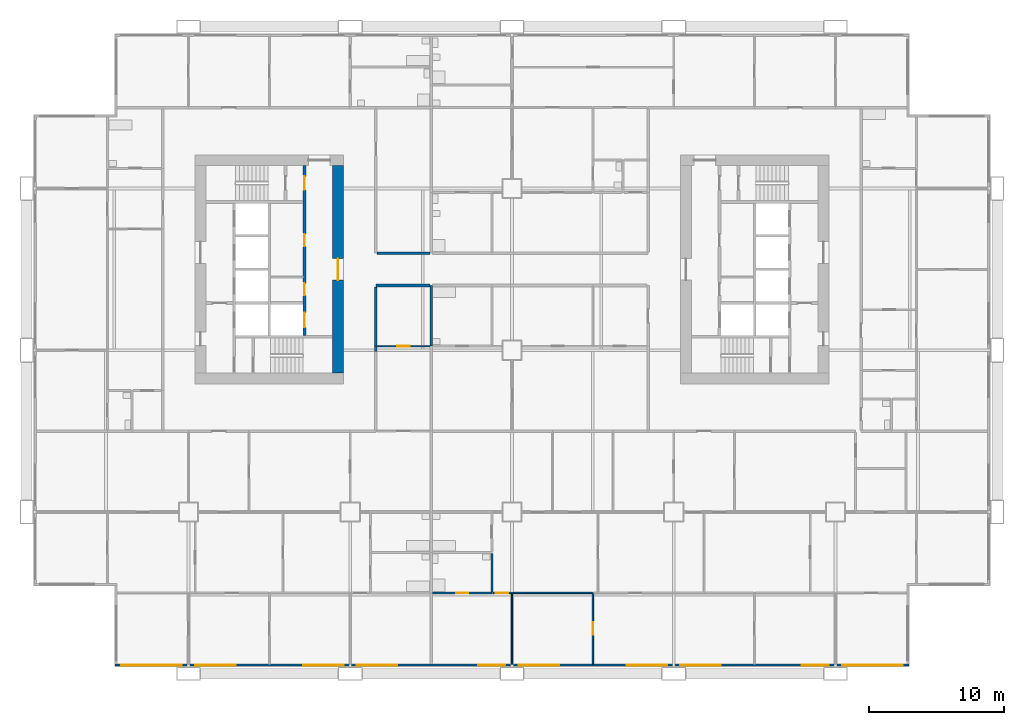
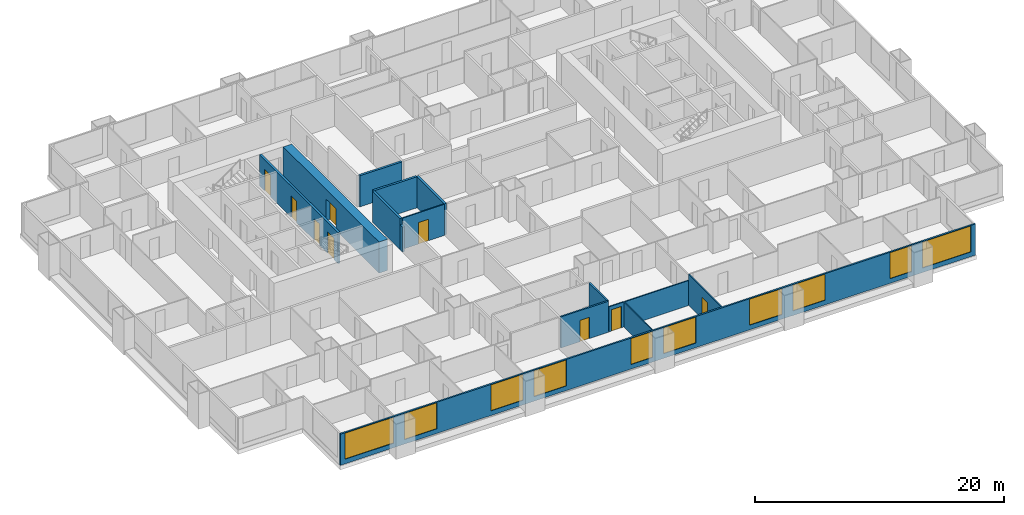
# One storey, part 4 of 13: 15 walls, 10 windows, 9 doors, 19 openings.
"""IFC4 building model written with IfcOpenShell, lengths in metres."""

from ifc_helpers import new_model, si_unit, direction, frame, frame_2d, origin, place, context, subcontext, project, spatial, rectangle, extrude, material, layer, layer_set, type_object, element, fill, save


model = new_model("IFC4")

# Units and contexts
model_context = context("Model", 3, precision=1e-05, world=origin(), true_north=direction((0.0, 1.0)))
body_context = subcontext(model_context, "Body", "Model", "MODEL_VIEW")
ifc_project = project(units=[si_unit("LENGTHUNIT", "METRE"), si_unit("AREAUNIT", "SQUARE_METRE"), si_unit("VOLUMEUNIT", "CUBIC_METRE"), si_unit("PLANEANGLEUNIT", "RADIAN"), si_unit("MASSUNIT", "GRAM", prefix="KILO")], contexts=[model_context])

# Site, building, storey
site_placement = place(None, origin())
site = spatial("IfcSite", under=ifc_project, at=site_placement, CompositionType="ELEMENT")
building_placement = place(site_placement, origin())
building = spatial("IfcBuilding", under=site, at=building_placement, Name="Kitamizu Gate Tower and Museum", CompositionType="ELEMENT")
storey_placement = place(building_placement, frame((0.0, 0.0, 40.35009765625)))
storey = spatial("IfcBuildingStorey", under=building, at=storey_placement, Name="L08", CompositionType="ELEMENT", Elevation=40.35009765625)

# Wall, opening, door
ifc_material_1 = material(Name="Concrete Fc60", Category="concrete")
ifc_layer_1 = layer(ifc_material_1, 0.800048828125)
ifc_layer_set_1 = layer_set([ifc_layer_1], Name="Concrete Fc60")
wall_type_1 = type_object("IfcWallType", Name="Core wall 800", PredefinedType="SHEAR", material=ifc_layer_set_1)
wall_1_placement = place(storey_placement, frame((23.10009765625, 22.300048828125, 0.0), z_axis=(0.0, 0.0, 1.0), x_axis=(0.0, 1.0, 0.0)))
wall_1 = element("IfcWall", 1, at=wall_1_placement, inside=storey, type_object=wall_type_1, Name="Core wall WARC", PredefinedType="SHEAR", context=body_context, shape_type="SweptSolid", body=[
    extrude(rectangle(XDim=15.39990234375, YDim=0.800048828125, at=frame_2d((7.699951171875, 0.0))), origin(), (0.0, 0.0, 1.0), 3.0498046875),
])
opening_1_placement = place(wall_1_placement, frame((6.89990234375, 0.0, 0.0)))
opening_1 = element("IfcOpeningElement", 2, at=opening_1_placement, cuts=wall_1, Name="Opening L08-087", PredefinedType="OPENING", context=body_context, shape_type="SweptSolid", body=[
    extrude(rectangle(XDim=1.60009765625, YDim=2.10009765625, at=frame_2d((0.800048828125, 1.050048828125))), frame((0.0, 0.41015625, 0.0), z_axis=(0.0, -1.0, 0.0), x_axis=(1.0, 0.0, 0.0)), (0.0, 0.0, 1.0), 0.820068359375),
])
ifc_material_2 = material(Name="Timber door set", Category="wood")
door_type_1 = type_object("IfcDoorType", Name="Entrance door 1600", OperationType="DOUBLE_DOOR_SINGLE_SWING", PredefinedType="DOOR", material=ifc_material_2)
door_1_placement = place(opening_1_placement, origin())
door_1 = element("IfcDoor", 3, at=door_1_placement, inside=storey, type_object=door_type_1, Name="Lobby door L08-087", OperationType="DOUBLE_DOOR_SINGLE_SWING", OverallHeight=2.10009765625, OverallWidth=1.60009765625, PredefinedType="DOOR", context=body_context, shape_type="SweptSolid", body=[
    extrude(rectangle(XDim=1.60009765625, YDim=2.10009765625, at=frame_2d((0.800048828125, 1.050048828125))), frame((0.0, 0.02490234375, 0.0), z_axis=(0.0, -1.0, 0.0), x_axis=(1.0, 0.0, 0.0)), (0.0, 0.0, 1.0), 0.050048828125),
])
fill(opening_1, door_1)

ifc_material_3 = material(Name="Gypsum board on galvanised stud")
ifc_layer_2 = layer(ifc_material_3, 0.10009765625)
ifc_layer_set_2 = layer_set([ifc_layer_2], Name="Gypsum board on galvanised stud")
wall_type_2 = type_object("IfcWallType", Name="Partition 100 NOT RATED", PredefinedType="PARTITIONING", material=ifc_layer_set_2)
wall_2_placement = place(storey_placement, frame((29.89990234375, 24.300048828125, 0.0), z_axis=(0.0, 0.0, 1.0), x_axis=(-1.0, 0.0, 0.0)))
wall_2 = element("IfcWall", 4, at=wall_2_placement, inside=storey, type_object=wall_type_2, Name="Partition L08-039", PredefinedType="PARTITIONING", context=body_context, shape_type="SweptSolid", body=[
    extrude(rectangle(XDim=3.89990234375, YDim=0.10009765625, at=frame_2d((1.949951171875, 0.0))), origin(), (0.0, 0.0, 1.0), 3.0498046875),
])
opening_2_placement = place(wall_2_placement, frame((1.5, 0.0, 0.0)))
opening_2 = element("IfcOpeningElement", 5, at=opening_2_placement, cuts=wall_2, Name="Opening L08-016", PredefinedType="OPENING", context=body_context, shape_type="SweptSolid", body=[
    extrude(rectangle(XDim=0.89990234375, YDim=2.10009765625, at=frame_2d((0.449951171875, 1.050048828125))), frame((0.0, 0.06005859375, 0.0), z_axis=(0.0, -1.0, 0.0), x_axis=(1.0, 0.0, 0.0)), (0.0, 0.0, 1.0), 0.1201171875),
])
ifc_material_4 = material(Name="Timber door set", Category="wood")
door_type_2 = type_object("IfcDoorType", Name="Room door 900", OperationType="NOTDEFINED", PredefinedType="DOOR", material=ifc_material_4)
door_2_placement = place(opening_2_placement, frame((0.89990234375, 0.0, 0.0), x_axis=(-1.0, 0.0, 0.0)))
door_2 = element("IfcDoor", 6, at=door_2_placement, inside=storey, type_object=door_type_2, Name="Door L08-016", OperationType="SINGLE_SWING_RIGHT", OverallHeight=2.10009765625, OverallWidth=0.89990234375, PredefinedType="DOOR", context=body_context, shape_type="SweptSolid", body=[
    extrude(rectangle(XDim=0.89990234375, YDim=2.10009765625, at=frame_2d((0.449951171875, 1.050048828125))), frame((0.0, 0.02490234375, 0.0), z_axis=(0.0, -1.0, 0.0), x_axis=(1.0, 0.0, 0.0)), (0.0, 0.0, 1.0), 0.050048828125),
])
fill(opening_2, door_2)

# Wall
wall_3_placement = place(storey_placement, frame((36.0, 0.719970703125, 0.0), z_axis=(0.0, 0.0, 1.0), x_axis=(0.0, 1.0, 0.0)))
element("IfcWall", 7, at=wall_3_placement, inside=storey, type_object=wall_type_2, Name="Partition L08-046", PredefinedType="PARTITIONING", context=body_context, shape_type="SweptSolid", body=[
    extrude(rectangle(XDim=5.280029296875, YDim=0.10009765625, at=frame_2d((2.64013671875, 0.0))), origin(), (0.0, 0.0, 1.0), 2.449951171875),
])

# Wall, opening, door
wall_4_placement = place(storey_placement, frame((35.949951171875, 6.0, 0.0), z_axis=(0.0, 0.0, 1.0), x_axis=(-1.0, 0.0, 0.0)))
wall_4 = element("IfcWall", 8, at=wall_4_placement, inside=storey, type_object=wall_type_2, Name="Partition L08-048", PredefinedType="PARTITIONING", context=body_context, shape_type="SweptSolid", body=[
    extrude(rectangle(XDim=1.375, YDim=0.10009765625, at=frame_2d((0.6875, 0.0))), origin(), (0.0, 0.0, 1.0), 2.449951171875),
])
opening_3_placement = place(wall_4_placement, frame((0.237548828125, 0.0, 0.0)))
opening_3 = element("IfcOpeningElement", 9, at=opening_3_placement, cuts=wall_4, Name="Opening L08-024", PredefinedType="OPENING", context=body_context, shape_type="SweptSolid", body=[
    extrude(rectangle(XDim=0.89990234375, YDim=2.10009765625, at=frame_2d((0.449951171875, 1.050048828125))), frame((0.0, 0.06005859375, 0.0), z_axis=(0.0, -1.0, 0.0), x_axis=(1.0, 0.0, 0.0)), (0.0, 0.0, 1.0), 0.1201171875),
])
door_3_placement = place(opening_3_placement, origin())
door_3 = element("IfcDoor", 10, at=door_3_placement, inside=storey, type_object=door_type_2, Name="Door L08-024", OperationType="SINGLE_SWING_RIGHT", OverallHeight=2.10009765625, OverallWidth=0.89990234375, PredefinedType="DOOR", context=body_context, shape_type="SweptSolid", body=[
    extrude(rectangle(XDim=0.89990234375, YDim=2.10009765625, at=frame_2d((0.449951171875, 1.050048828125))), frame((0.0, 0.02490234375, 0.0), z_axis=(0.0, -1.0, 0.0), x_axis=(1.0, 0.0, 0.0)), (0.0, 0.0, 1.0), 0.050048828125),
])
fill(opening_3, door_3)

wall_5_placement = place(storey_placement, frame((42.0, 0.719970703125, 0.0), z_axis=(0.0, 0.0, 1.0), x_axis=(0.0, 1.0, 0.0)))
wall_5 = element("IfcWall", 11, at=wall_5_placement, inside=storey, type_object=wall_type_2, Name="Partition L08-049", PredefinedType="PARTITIONING", context=body_context, shape_type="SweptSolid", body=[
    extrude(rectangle(XDim=5.280029296875, YDim=0.10009765625, at=frame_2d((2.64013671875, 0.0))), origin(), (0.0, 0.0, 1.0), 3.0498046875),
])
opening_4_placement = place(wall_5_placement, frame((2.18994140625, 0.0, 0.0)))
opening_4 = element("IfcOpeningElement", 12, at=opening_4_placement, cuts=wall_5, Name="Opening L08-023", PredefinedType="OPENING", context=body_context, shape_type="SweptSolid", body=[
    extrude(rectangle(XDim=0.89990234375, YDim=2.10009765625, at=frame_2d((0.449951171875, 1.050048828125))), frame((0.0, 0.06005859375, 0.0), z_axis=(0.0, -1.0, 0.0), x_axis=(1.0, 0.0, 0.0)), (0.0, 0.0, 1.0), 0.1201171875),
])
door_4_placement = place(opening_4_placement, origin())
door_4 = element("IfcDoor", 13, at=door_4_placement, inside=storey, type_object=door_type_2, Name="Door L08-023", OperationType="SINGLE_SWING_LEFT", OverallHeight=2.10009765625, OverallWidth=0.89990234375, PredefinedType="DOOR", context=body_context, shape_type="SweptSolid", body=[
    extrude(rectangle(XDim=0.89990234375, YDim=2.10009765625, at=frame_2d((0.449951171875, 1.050048828125))), frame((0.0, 0.02490234375, 0.0), z_axis=(0.0, -1.0, 0.0), x_axis=(1.0, 0.0, 0.0)), (0.0, 0.0, 1.0), 0.050048828125),
])
fill(opening_4, door_4)

# Wall
wall_6_placement = place(storey_placement, frame((41.949951171875, 6.0, 0.0), z_axis=(0.0, 0.0, 1.0), x_axis=(-1.0, 0.0, 0.0)))
element("IfcWall", 14, at=wall_6_placement, inside=storey, type_object=wall_type_2, Name="Partition L08-050", PredefinedType="PARTITIONING", context=body_context, shape_type="SweptSolid", body=[
    extrude(rectangle(XDim=5.89990234375, YDim=0.10009765625, at=frame_2d((2.949951171875, 0.0))), origin(), (0.0, 0.0, 1.0), 2.449951171875),
])

# Wall, opening, door
ifc_material_5 = material(Name="Gypsum board on galvanised stud")
ifc_layer_3 = layer(ifc_material_5, 0.14990234375)
ifc_layer_set_3 = layer_set([ifc_layer_3], Name="Gypsum board on galvanised stud")
wall_type_3 = type_object("IfcWallType", Name="Partition 150", PredefinedType="PARTITIONING", material=ifc_layer_set_3)
wall_7_placement = place(storey_placement, frame((34.5, 6.0, 0.0), z_axis=(0.0, 0.0, 1.0), x_axis=(-1.0, 0.0, 0.0)))
wall_7 = element("IfcWall", 15, at=wall_7_placement, inside=storey, type_object=wall_type_3, Name="Partition L08-047", PredefinedType="PARTITIONING", context=body_context, shape_type="SweptSolid", body=[
    extrude(rectangle(XDim=4.39990234375, YDim=0.14990234375, at=frame_2d((2.199951171875, 0.0))), origin(), (0.0, 0.0, 1.0), 3.0498046875),
])
opening_5_placement = place(wall_7_placement, frame((1.75, 0.0, 0.0)))
opening_5 = element("IfcOpeningElement", 16, at=opening_5_placement, cuts=wall_7, Name="Opening L08-026", PredefinedType="OPENING", context=body_context, shape_type="SweptSolid", body=[
    extrude(rectangle(XDim=0.89990234375, YDim=2.10009765625, at=frame_2d((0.449951171875, 1.050048828125))), frame((0.0, 0.0849609375, 0.0), z_axis=(0.0, -1.0, 0.0), x_axis=(1.0, 0.0, 0.0)), (0.0, 0.0, 1.0), 0.169921875),
])
ifc_material_6 = material(Name="Timber door set", Category="wood")
door_type_3 = type_object("IfcDoorType", Name="Bathroom door 900", OperationType="NOTDEFINED", PredefinedType="DOOR", material=ifc_material_6)
door_5_placement = place(opening_5_placement, frame((0.89990234375, 0.0, 0.0), x_axis=(-1.0, 0.0, 0.0)))
door_5 = element("IfcDoor", 17, at=door_5_placement, inside=storey, type_object=door_type_3, Name="Bathroom door L08-026", OperationType="SINGLE_SWING_RIGHT", OverallHeight=2.10009765625, OverallWidth=0.89990234375, PredefinedType="DOOR", context=body_context, shape_type="SweptSolid", body=[
    extrude(rectangle(XDim=0.89990234375, YDim=2.10009765625, at=frame_2d((0.449951171875, 1.050048828125))), frame((0.0, 0.02490234375, 0.0), z_axis=(0.0, -1.0, 0.0), x_axis=(1.0, 0.0, 0.0)), (0.0, 0.0, 1.0), 0.050048828125),
])
fill(opening_5, door_5)

# Walls
wall_8_placement = place(storey_placement, frame((34.5, 6.074951171875, 0.0), z_axis=(0.0, 0.0, 1.0), x_axis=(0.0, 1.0, 0.0)))
element("IfcWall", 18, at=wall_8_placement, inside=storey, type_object=wall_type_3, Name="Partition L08-061", PredefinedType="PARTITIONING", context=body_context, shape_type="SweptSolid", body=[
    extrude(rectangle(XDim=2.85009765625, YDim=0.14990234375, at=frame_2d((1.425048828125, 0.0))), origin(), (0.0, 0.0, 1.0), 3.0498046875),
])
ifc_material_7 = material(Name="Gypsum board on galvanised stud")
ifc_layer_4 = layer(ifc_material_7, 0.199951171875)
ifc_layer_set_4 = layer_set([ifc_layer_4], Name="Gypsum board on galvanised stud")
wall_type_4 = type_object("IfcWallType", Name="Partition 200", PredefinedType="PARTITIONING", material=ifc_layer_set_4)
wall_9_placement = place(storey_placement, frame((25.89990234375, 24.300048828125, 0.0), z_axis=(0.0, 0.0, 1.0), x_axis=(0.0, -1.0, 0.0)))
element("IfcWall", 19, at=wall_9_placement, inside=storey, type_object=wall_type_4, Name="Partition L08-041", PredefinedType="PARTITIONING", context=body_context, shape_type="SweptSolid", body=[
    extrude(rectangle(XDim=0.400146484375, YDim=0.199951171875, at=frame_2d((0.2001953125, 0.0))), origin(), (0.0, 0.0, 1.0), 2.449951171875),
])
wall_10_placement = place(storey_placement, frame((30.0, 24.300048828125, 0.0), z_axis=(0.0, 0.0, 1.0), x_axis=(0.0, 1.0, 0.0)))
element("IfcWall", 20, at=wall_10_placement, inside=storey, type_object=wall_type_4, Name="Partition L08-043", PredefinedType="PARTITIONING", context=body_context, shape_type="SweptSolid", body=[
    extrude(rectangle(XDim=4.5, YDim=0.199951171875, at=frame_2d((2.25, 0.0))), origin(), (0.0, 0.0, 1.0), 3.0498046875),
])
wall_11_placement = place(storey_placement, frame((29.89990234375, 28.800048828125, 0.0), z_axis=(0.0, 0.0, 1.0), x_axis=(-1.0, 0.0, 0.0)))
element("IfcWall", 21, at=wall_11_placement, inside=storey, type_object=wall_type_4, Name="Partition L08-044", PredefinedType="PARTITIONING", context=body_context, shape_type="SweptSolid", body=[
    extrude(rectangle(XDim=4.0, YDim=0.199951171875, at=frame_2d((2.0, 0.0))), origin(), (0.0, 0.0, 1.0), 3.0498046875),
])
wall_12_placement = place(storey_placement, frame((25.89990234375, 28.699951171875, 0.0), z_axis=(0.0, 0.0, 1.0), x_axis=(0.0, -1.0, 0.0)))
element("IfcWall", 22, at=wall_12_placement, inside=storey, type_object=wall_type_4, Name="Partition L08-045", PredefinedType="PARTITIONING", context=body_context, shape_type="SweptSolid", body=[
    extrude(rectangle(XDim=4.39990234375, YDim=0.199951171875, at=frame_2d((2.199951171875, 0.0))), origin(), (0.0, 0.0, 1.0), 3.0498046875),
])
wall_13_placement = place(storey_placement, frame((26.0, 31.199951171875, 0.0), z_axis=(0.0, 0.0, 1.0), x_axis=(1.0, 0.0, 0.0)))
element("IfcWall", 23, at=wall_13_placement, inside=storey, type_object=wall_type_4, Name="Partition L08-133", PredefinedType="PARTITIONING", context=body_context, shape_type="SweptSolid", body=[
    extrude(rectangle(XDim=3.89990234375, YDim=0.199951171875, at=frame_2d((1.949951171875, 0.0))), origin(), (0.0, 0.0, 1.0), 3.0498046875),
])

# Wall, openings, doors
ifc_material_8 = material(Name="Concrete Fc42", Category="concrete")
ifc_layer_5 = layer(ifc_material_8, 0.199951171875)
ifc_layer_set_5 = layer_set([ifc_layer_5], Name="Concrete Fc42")
wall_type_5 = type_object("IfcWallType", Name="Shaft wall 200", PredefinedType="SOLIDWALL", material=ifc_layer_set_5)
wall_14_placement = place(storey_placement, frame((20.60009765625, 25.10009765625, 0.0), z_axis=(0.0, 0.0, 1.0), x_axis=(0.0, 1.0, 0.0)))
wall_14 = element("IfcWall", 24, at=wall_14_placement, inside=storey, type_object=wall_type_5, Name="Shaft wall WEAST", PredefinedType="SOLIDWALL", context=body_context, shape_type="SweptSolid", body=[
    extrude(rectangle(XDim=12.599853515625, YDim=0.199951171875, at=frame_2d((6.2998046875, 0.0))), origin(), (0.0, 0.0, 1.0), 3.0498046875),
])
opening_6_placement = place(wall_14_placement, frame((0.60009765625, 0.0, 0.0)))
opening_6 = element("IfcOpeningElement", 25, at=opening_6_placement, cuts=wall_14, Name="Opening LD", PredefinedType="OPENING", context=body_context, shape_type="SweptSolid", body=[
    extrude(rectangle(XDim=1.10009765625, YDim=2.10009765625, at=frame_2d((0.550048828125, 1.050048828125))), frame((0.0, 0.10986328125, 0.0), z_axis=(0.0, -1.0, 0.0), x_axis=(1.0, 0.0, 0.0)), (0.0, 0.0, 1.0), 0.219970703125),
])
opening_7_placement = place(wall_14_placement, frame((10.800048828125, 0.0, 0.0)))
opening_7 = element("IfcOpeningElement", 26, at=opening_7_placement, cuts=wall_14, Name="Opening L08-081", PredefinedType="OPENING", context=body_context, shape_type="SweptSolid", body=[
    extrude(rectangle(XDim=1.0, YDim=2.10009765625, at=frame_2d((0.5, 1.050048828125))), frame((0.0, 0.10986328125, 0.0), z_axis=(0.0, -1.0, 0.0), x_axis=(1.0, 0.0, 0.0)), (0.0, 0.0, 1.0), 0.219970703125),
])
opening_8_placement = place(wall_14_placement, frame((2.96240234375, 0.0, 0.0)))
opening_8 = element("IfcOpeningElement", 27, at=opening_8_placement, cuts=wall_14, Name="Opening L08-088", PredefinedType="OPENING", context=body_context, shape_type="SweptSolid", body=[
    extrude(rectangle(XDim=0.89990234375, YDim=2.10009765625, at=frame_2d((0.449951171875, 1.050048828125))), frame((0.0, 0.10986328125, 0.0), z_axis=(0.0, -1.0, 0.0), x_axis=(1.0, 0.0, 0.0)), (0.0, 0.0, 1.0), 0.219970703125),
])
opening_9_placement = place(wall_14_placement, frame((6.612548828125, 0.0, 0.0)))
opening_9 = element("IfcOpeningElement", 28, at=opening_9_placement, cuts=wall_14, Name="Opening L08-089", PredefinedType="OPENING", context=body_context, shape_type="SweptSolid", body=[
    extrude(rectangle(XDim=0.89990234375, YDim=2.10009765625, at=frame_2d((0.449951171875, 1.050048828125))), frame((0.0, 0.10986328125, 0.0), z_axis=(0.0, -1.0, 0.0), x_axis=(1.0, 0.0, 0.0)), (0.0, 0.0, 1.0), 0.219970703125),
])
ifc_material_9 = material(Name="Hollow metal door set")
door_type_4 = type_object("IfcDoorType", Name="Fire door 1000", OperationType="NOTDEFINED", PredefinedType="DOOR", material=ifc_material_9)
door_6_placement = place(opening_7_placement, origin())
door_6 = element("IfcDoor", 29, at=door_6_placement, inside=storey, type_object=door_type_4, Name="Stair lobby door L08-081", OperationType="SINGLE_SWING_RIGHT", OverallHeight=2.10009765625, OverallWidth=1.0, PredefinedType="DOOR", context=body_context, shape_type="SweptSolid", body=[
    extrude(rectangle(XDim=1.0, YDim=2.10009765625, at=frame_2d((0.5, 1.050048828125))), frame((0.0, 0.02490234375, 0.0), z_axis=(0.0, -1.0, 0.0), x_axis=(1.0, 0.0, 0.0)), (0.0, 0.0, 1.0), 0.050048828125),
])
fill(opening_7, door_6)
ifc_material_10 = material(Name="Hollow metal door set")
door_type_5 = type_object("IfcDoorType", Name="Landing door 1100", OperationType="SLIDING_TO_LEFT", PredefinedType="DOOR", material=ifc_material_10)
door_7_placement = place(opening_6_placement, origin())
door_7 = element("IfcDoor", 30, at=door_7_placement, inside=storey, type_object=door_type_5, Name="Landing door WSV1", OperationType="SLIDING_TO_LEFT", OverallHeight=2.10009765625, OverallWidth=1.10009765625, PredefinedType="DOOR", context=body_context, shape_type="SweptSolid", body=[
    extrude(rectangle(XDim=1.10009765625, YDim=2.10009765625, at=frame_2d((0.550048828125, 1.050048828125))), frame((0.0, 0.02490234375, 0.0), z_axis=(0.0, -1.0, 0.0), x_axis=(1.0, 0.0, 0.0)), (0.0, 0.0, 1.0), 0.050048828125),
])
fill(opening_6, door_7)
ifc_material_11 = material(Name="Timber door set", Category="wood")
door_type_6 = type_object("IfcDoorType", Name="Service door 900", OperationType="NOTDEFINED", PredefinedType="DOOR", material=ifc_material_11)
door_8_placement = place(opening_8_placement, origin())
door_8 = element("IfcDoor", 31, at=door_8_placement, inside=storey, type_object=door_type_6, Name="Service door L08-088", OperationType="SINGLE_SWING_RIGHT", OverallHeight=2.10009765625, OverallWidth=0.89990234375, PredefinedType="DOOR", context=body_context, shape_type="SweptSolid", body=[
    extrude(rectangle(XDim=0.89990234375, YDim=2.10009765625, at=frame_2d((0.449951171875, 1.050048828125))), frame((0.0, 0.02490234375, 0.0), z_axis=(0.0, -1.0, 0.0), x_axis=(1.0, 0.0, 0.0)), (0.0, 0.0, 1.0), 0.050048828125),
])
fill(opening_8, door_8)
door_9_placement = place(opening_9_placement, origin())
door_9 = element("IfcDoor", 32, at=door_9_placement, inside=storey, type_object=door_type_6, Name="Service door L08-089", OperationType="SINGLE_SWING_LEFT", OverallHeight=2.10009765625, OverallWidth=0.89990234375, PredefinedType="DOOR", context=body_context, shape_type="SweptSolid", body=[
    extrude(rectangle(XDim=0.89990234375, YDim=2.10009765625, at=frame_2d((0.449951171875, 1.050048828125))), frame((0.0, 0.02490234375, 0.0), z_axis=(0.0, -1.0, 0.0), x_axis=(1.0, 0.0, 0.0)), (0.0, 0.0, 1.0), 0.050048828125),
])
fill(opening_9, door_9)

# Wall, openings, windows
ifc_material_12 = material(Name="Bronze anodised aluminium frame with insulated spandrel and tinted glass", Category="aluminium")
ifc_layer_6 = layer(ifc_material_12, 0.14990234375)
ifc_layer_set_6 = layer_set([ifc_layer_6], Name="Bronze anodised aluminium frame with insulated spandrel and tinted glass")
wall_type_6 = type_object("IfcWallType", Name="WINDOW WALL 150 BRONZE FRAME EI 30", PredefinedType="ELEMENTEDWALL", material=ifc_layer_set_6)
wall_15_placement = place(storey_placement, frame((6.56005859375, 0.635009765625, 0.0), z_axis=(0.0, 0.0, 1.0), x_axis=(1.0, 0.0, 0.0)))
wall_15 = element("IfcWall", 33, at=wall_15_placement, inside=storey, type_object=wall_type_6, Name="Window wall south L08", PredefinedType="ELEMENTEDWALL", context=body_context, shape_type="SweptSolid", body=[
    extrude(rectangle(XDim=58.8798828125, YDim=0.14990234375, at=frame_2d((29.43994140625, 0.0))), origin(), (0.0, 0.0, 1.0), 3.0498046875),
])
opening_10_placement = place(wall_15_placement, frame((0.43994140625, 0.0, 0.449951171875)))
opening_10 = element("IfcOpeningElement", 34, at=opening_10_placement, cuts=wall_15, Name="Opening W15", PredefinedType="OPENING", context=body_context, shape_type="SweptSolid", body=[
    extrude(rectangle(XDim=4.5, YDim=2.550048828125, at=frame_2d((2.25, 1.27490234375))), frame((0.0, 0.0849609375, 0.0), z_axis=(0.0, -1.0, 0.0), x_axis=(1.0, 0.0, 0.0)), (0.0, 0.0, 1.0), 0.169921875),
])
opening_11_placement = place(wall_15_placement, frame((5.93994140625, 0.0, 0.449951171875)))
opening_11 = element("IfcOpeningElement", 35, at=opening_11_placement, cuts=wall_15, Name="Opening W33", PredefinedType="OPENING", context=body_context, shape_type="SweptSolid", body=[
    extrude(rectangle(XDim=3.0, YDim=2.550048828125, at=frame_2d((1.5, 1.27490234375))), frame((0.0, 0.0849609375, 0.0), z_axis=(0.0, -1.0, 0.0), x_axis=(1.0, 0.0, 0.0)), (0.0, 0.0, 1.0), 0.169921875),
])
opening_12_placement = place(wall_15_placement, frame((13.93994140625, 0.0, 0.449951171875)))
opening_12 = element("IfcOpeningElement", 36, at=opening_12_placement, cuts=wall_15, Name="Opening W33", PredefinedType="OPENING", context=body_context, shape_type="SweptSolid", body=[
    extrude(rectangle(XDim=3.0, YDim=2.550048828125, at=frame_2d((1.5, 1.27490234375))), frame((0.0, 0.0849609375, 0.0), z_axis=(0.0, -1.0, 0.0), x_axis=(1.0, 0.0, 0.0)), (0.0, 0.0, 1.0), 0.169921875),
])
opening_13_placement = place(wall_15_placement, frame((17.93994140625, 0.0, 0.449951171875)))
opening_13 = element("IfcOpeningElement", 37, at=opening_13_placement, cuts=wall_15, Name="Opening W33", PredefinedType="OPENING", context=body_context, shape_type="SweptSolid", body=[
    extrude(rectangle(XDim=3.0, YDim=2.550048828125, at=frame_2d((1.5, 1.27490234375))), frame((0.0, 0.0849609375, 0.0), z_axis=(0.0, -1.0, 0.0), x_axis=(1.0, 0.0, 0.0)), (0.0, 0.0, 1.0), 0.169921875),
])
opening_14_placement = place(wall_15_placement, frame((26.93994140625, 0.0, 0.449951171875)))
opening_14 = element("IfcOpeningElement", 38, at=opening_14_placement, cuts=wall_15, Name="Opening W2", PredefinedType="OPENING", context=body_context, shape_type="SweptSolid", body=[
    extrude(rectangle(XDim=2.0, YDim=2.550048828125, at=frame_2d((1.0, 1.27490234375))), frame((0.0, 0.0849609375, 0.0), z_axis=(0.0, -1.0, 0.0), x_axis=(1.0, 0.0, 0.0)), (0.0, 0.0, 1.0), 0.169921875),
])
opening_15_placement = place(wall_15_placement, frame((29.93994140625, 0.0, 0.449951171875)))
opening_15 = element("IfcOpeningElement", 39, at=opening_15_placement, cuts=wall_15, Name="Opening W33", PredefinedType="OPENING", context=body_context, shape_type="SweptSolid", body=[
    extrude(rectangle(XDim=3.0, YDim=2.550048828125, at=frame_2d((1.5, 1.27490234375))), frame((0.0, 0.0849609375, 0.0), z_axis=(0.0, -1.0, 0.0), x_axis=(1.0, 0.0, 0.0)), (0.0, 0.0, 1.0), 0.169921875),
])
opening_16_placement = place(wall_15_placement, frame((37.93994140625, 0.0, 0.449951171875)))
opening_16 = element("IfcOpeningElement", 40, at=opening_16_placement, cuts=wall_15, Name="Opening W33", PredefinedType="OPENING", context=body_context, shape_type="SweptSolid", body=[
    extrude(rectangle(XDim=3.0, YDim=2.550048828125, at=frame_2d((1.5, 1.27490234375))), frame((0.0, 0.0849609375, 0.0), z_axis=(0.0, -1.0, 0.0), x_axis=(1.0, 0.0, 0.0)), (0.0, 0.0, 1.0), 0.169921875),
])
opening_17_placement = place(wall_15_placement, frame((41.93994140625, 0.0, 0.449951171875)))
opening_17 = element("IfcOpeningElement", 41, at=opening_17_placement, cuts=wall_15, Name="Opening W33", PredefinedType="OPENING", context=body_context, shape_type="SweptSolid", body=[
    extrude(rectangle(XDim=3.0, YDim=2.550048828125, at=frame_2d((1.5, 1.27490234375))), frame((0.0, 0.0849609375, 0.0), z_axis=(0.0, -1.0, 0.0), x_axis=(1.0, 0.0, 0.0)), (0.0, 0.0, 1.0), 0.169921875),
])
opening_18_placement = place(wall_15_placement, frame((50.93994140625, 0.0, 0.449951171875)))
opening_18 = element("IfcOpeningElement", 42, at=opening_18_placement, cuts=wall_15, Name="Opening W2", PredefinedType="OPENING", context=body_context, shape_type="SweptSolid", body=[
    extrude(rectangle(XDim=2.0, YDim=2.550048828125, at=frame_2d((1.0, 1.27490234375))), frame((0.0, 0.0849609375, 0.0), z_axis=(0.0, -1.0, 0.0), x_axis=(1.0, 0.0, 0.0)), (0.0, 0.0, 1.0), 0.169921875),
])
opening_19_placement = place(wall_15_placement, frame((53.93994140625, 0.0, 0.449951171875)))
opening_19 = element("IfcOpeningElement", 43, at=opening_19_placement, cuts=wall_15, Name="Opening W15", PredefinedType="OPENING", context=body_context, shape_type="SweptSolid", body=[
    extrude(rectangle(XDim=4.5, YDim=2.550048828125, at=frame_2d((2.25, 1.27490234375))), frame((0.0, 0.0849609375, 0.0), z_axis=(0.0, -1.0, 0.0), x_axis=(1.0, 0.0, 0.0)), (0.0, 0.0, 1.0), 0.169921875),
])
ifc_material_13 = material(Name="Bronze anodised aluminium frame, tinted triple glazing", Category="aluminium")
window_type_1 = type_object("IfcWindowType", Name="WINDOW 2000 x 2550 SILL 450", PartitioningType="SINGLE_PANEL", PredefinedType="WINDOW", material=ifc_material_13)
window_1_placement = place(opening_14_placement, origin())
window_1 = element("IfcWindow", 44, at=window_1_placement, inside=storey, type_object=window_type_1, Name="Window W2 L08", OverallHeight=2.550048828125, OverallWidth=2.0, PartitioningType="SINGLE_PANEL", PredefinedType="WINDOW", context=body_context, shape_type="SweptSolid", body=[
    extrude(rectangle(XDim=2.0, YDim=2.550048828125, at=frame_2d((1.0, 1.27490234375))), frame((0.0, 0.030029296875, 0.0), z_axis=(0.0, -1.0, 0.0), x_axis=(1.0, 0.0, 0.0)), (0.0, 0.0, 1.0), 0.06005859375),
])
fill(opening_14, window_1)
window_2_placement = place(opening_18_placement, origin())
window_2 = element("IfcWindow", 45, at=window_2_placement, inside=storey, type_object=window_type_1, Name="Window W2 L08", OverallHeight=2.550048828125, OverallWidth=2.0, PartitioningType="SINGLE_PANEL", PredefinedType="WINDOW", context=body_context, shape_type="SweptSolid", body=[
    extrude(rectangle(XDim=2.0, YDim=2.550048828125, at=frame_2d((1.0, 1.27490234375))), frame((0.0, 0.030029296875, 0.0), z_axis=(0.0, -1.0, 0.0), x_axis=(1.0, 0.0, 0.0)), (0.0, 0.0, 1.0), 0.06005859375),
])
fill(opening_18, window_2)
ifc_material_14 = material(Name="Bronze anodised aluminium frame, tinted triple glazing", Category="aluminium")
window_type_2 = type_object("IfcWindowType", Name="WINDOW 3000 x 2550 SILL 450", PartitioningType="SINGLE_PANEL", PredefinedType="WINDOW", material=ifc_material_14)
window_3_placement = place(opening_11_placement, origin())
window_3 = element("IfcWindow", 46, at=window_3_placement, inside=storey, type_object=window_type_2, Name="Window W33 L08", OverallHeight=2.550048828125, OverallWidth=3.0, PartitioningType="SINGLE_PANEL", PredefinedType="WINDOW", context=body_context, shape_type="SweptSolid", body=[
    extrude(rectangle(XDim=3.0, YDim=2.550048828125, at=frame_2d((1.5, 1.27490234375))), frame((0.0, 0.030029296875, 0.0), z_axis=(0.0, -1.0, 0.0), x_axis=(1.0, 0.0, 0.0)), (0.0, 0.0, 1.0), 0.06005859375),
])
fill(opening_11, window_3)
window_4_placement = place(opening_12_placement, origin())
window_4 = element("IfcWindow", 47, at=window_4_placement, inside=storey, type_object=window_type_2, Name="Window W33 L08", OverallHeight=2.550048828125, OverallWidth=3.0, PartitioningType="SINGLE_PANEL", PredefinedType="WINDOW", context=body_context, shape_type="SweptSolid", body=[
    extrude(rectangle(XDim=3.0, YDim=2.550048828125, at=frame_2d((1.5, 1.27490234375))), frame((0.0, 0.030029296875, 0.0), z_axis=(0.0, -1.0, 0.0), x_axis=(1.0, 0.0, 0.0)), (0.0, 0.0, 1.0), 0.06005859375),
])
fill(opening_12, window_4)
window_5_placement = place(opening_13_placement, origin())
window_5 = element("IfcWindow", 48, at=window_5_placement, inside=storey, type_object=window_type_2, Name="Window W33 L08", OverallHeight=2.550048828125, OverallWidth=3.0, PartitioningType="SINGLE_PANEL", PredefinedType="WINDOW", context=body_context, shape_type="SweptSolid", body=[
    extrude(rectangle(XDim=3.0, YDim=2.550048828125, at=frame_2d((1.5, 1.27490234375))), frame((0.0, 0.030029296875, 0.0), z_axis=(0.0, -1.0, 0.0), x_axis=(1.0, 0.0, 0.0)), (0.0, 0.0, 1.0), 0.06005859375),
])
fill(opening_13, window_5)
window_6_placement = place(opening_15_placement, origin())
window_6 = element("IfcWindow", 49, at=window_6_placement, inside=storey, type_object=window_type_2, Name="Window W33 L08", OverallHeight=2.550048828125, OverallWidth=3.0, PartitioningType="SINGLE_PANEL", PredefinedType="WINDOW", context=body_context, shape_type="SweptSolid", body=[
    extrude(rectangle(XDim=3.0, YDim=2.550048828125, at=frame_2d((1.5, 1.27490234375))), frame((0.0, 0.030029296875, 0.0), z_axis=(0.0, -1.0, 0.0), x_axis=(1.0, 0.0, 0.0)), (0.0, 0.0, 1.0), 0.06005859375),
])
fill(opening_15, window_6)
window_7_placement = place(opening_16_placement, origin())
window_7 = element("IfcWindow", 50, at=window_7_placement, inside=storey, type_object=window_type_2, Name="Window W33 L08", OverallHeight=2.550048828125, OverallWidth=3.0, PartitioningType="SINGLE_PANEL", PredefinedType="WINDOW", context=body_context, shape_type="SweptSolid", body=[
    extrude(rectangle(XDim=3.0, YDim=2.550048828125, at=frame_2d((1.5, 1.27490234375))), frame((0.0, 0.030029296875, 0.0), z_axis=(0.0, -1.0, 0.0), x_axis=(1.0, 0.0, 0.0)), (0.0, 0.0, 1.0), 0.06005859375),
])
fill(opening_16, window_7)
window_8_placement = place(opening_17_placement, origin())
window_8 = element("IfcWindow", 51, at=window_8_placement, inside=storey, type_object=window_type_2, Name="Window W33 L08", OverallHeight=2.550048828125, OverallWidth=3.0, PartitioningType="SINGLE_PANEL", PredefinedType="WINDOW", context=body_context, shape_type="SweptSolid", body=[
    extrude(rectangle(XDim=3.0, YDim=2.550048828125, at=frame_2d((1.5, 1.27490234375))), frame((0.0, 0.030029296875, 0.0), z_axis=(0.0, -1.0, 0.0), x_axis=(1.0, 0.0, 0.0)), (0.0, 0.0, 1.0), 0.06005859375),
])
fill(opening_17, window_8)
ifc_material_15 = material(Name="Bronze anodised aluminium frame, tinted triple glazing", Category="aluminium")
window_type_3 = type_object("IfcWindowType", Name="WINDOW 4500 x 2550 SILL 450", PartitioningType="SINGLE_PANEL", PredefinedType="WINDOW", material=ifc_material_15)
window_9_placement = place(opening_10_placement, origin())
window_9 = element("IfcWindow", 52, at=window_9_placement, inside=storey, type_object=window_type_3, Name="Window W15 L08", OverallHeight=2.550048828125, OverallWidth=4.5, PartitioningType="SINGLE_PANEL", PredefinedType="WINDOW", context=body_context, shape_type="SweptSolid", body=[
    extrude(rectangle(XDim=4.5, YDim=2.550048828125, at=frame_2d((2.25, 1.27490234375))), frame((0.0, 0.030029296875, 0.0), z_axis=(0.0, -1.0, 0.0), x_axis=(1.0, 0.0, 0.0)), (0.0, 0.0, 1.0), 0.06005859375),
])
fill(opening_10, window_9)
window_10_placement = place(opening_19_placement, origin())
window_10 = element("IfcWindow", 53, at=window_10_placement, inside=storey, type_object=window_type_3, Name="Window W15 L08", OverallHeight=2.550048828125, OverallWidth=4.5, PartitioningType="SINGLE_PANEL", PredefinedType="WINDOW", context=body_context, shape_type="SweptSolid", body=[
    extrude(rectangle(XDim=4.5, YDim=2.550048828125, at=frame_2d((2.25, 1.27490234375))), frame((0.0, 0.030029296875, 0.0), z_axis=(0.0, -1.0, 0.0), x_axis=(1.0, 0.0, 0.0)), (0.0, 0.0, 1.0), 0.06005859375),
])
fill(opening_19, window_10)

save(model, "model.ifc")
